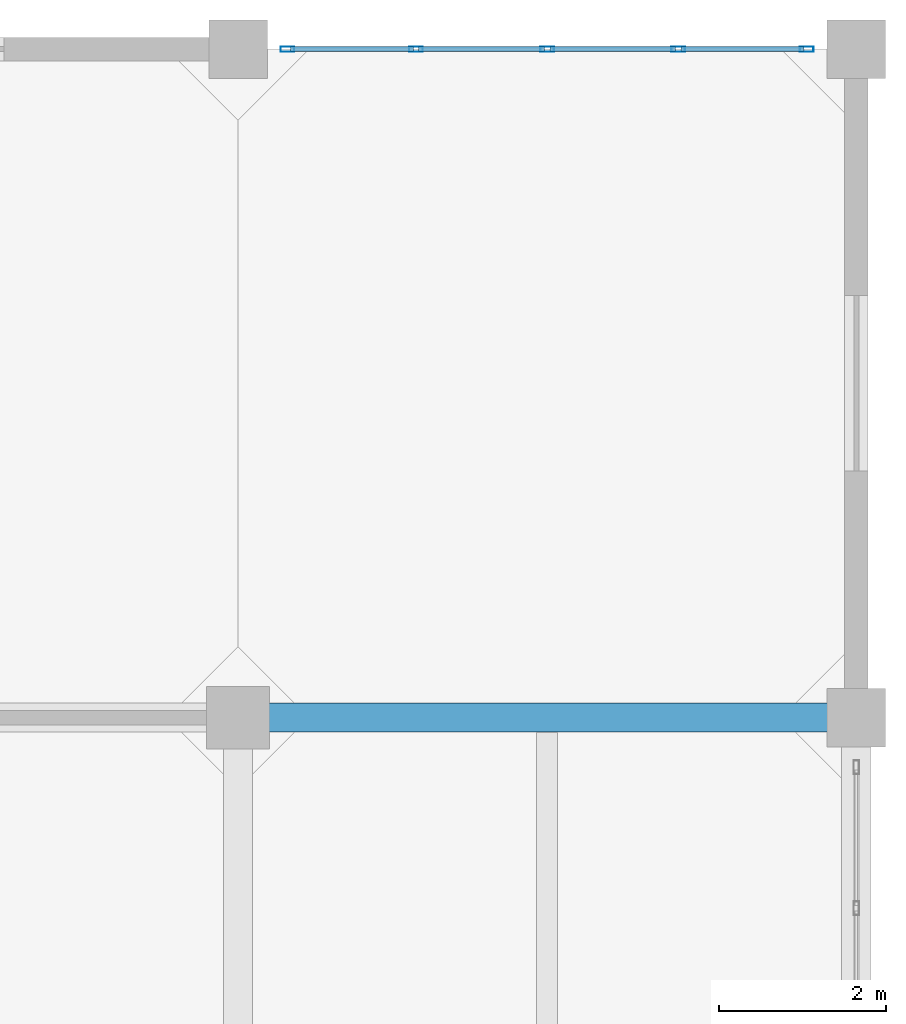
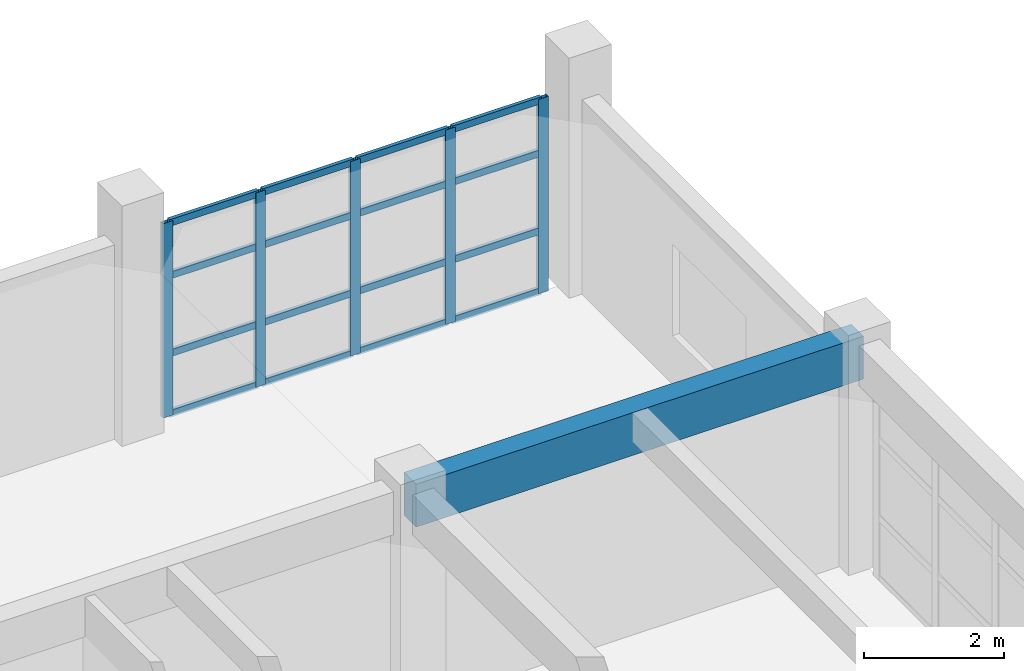
# One storey, part 12 of 19: 21 members, 1 beam, 1 element without a shape of its own.
"""IFC4 building model written with IfcOpenShell, lengths in metres."""

from ifc_helpers import new_model, si_unit, direction, frame, origin, origin_2d, place, context, subcontext, project, spatial, rectangle, hollow_rectangle, extrude, material, layer, layer_set, material_profile, profile_set, type_object, element, aggregate, save


model = new_model("IFC4")

# Units and contexts
model_context = context("Model", 3, precision=1e-05, world=origin(), true_north=direction((0.0, 1.0)))
body_context = subcontext(model_context, "Body", "Model", "MODEL_VIEW")
ifc_project = project(units=[si_unit("LENGTHUNIT", "METRE"), si_unit("AREAUNIT", "SQUARE_METRE"), si_unit("VOLUMEUNIT", "CUBIC_METRE"), si_unit("PLANEANGLEUNIT", "RADIAN"), si_unit("MASSUNIT", "GRAM", prefix="KILO")], contexts=[model_context])

# Site, building, storey
site_placement = place(None, origin())
site = spatial("IfcSite", under=ifc_project, at=site_placement, CompositionType="ELEMENT")
building_placement = place(site_placement, origin())
building = spatial("IfcBuilding", under=site, at=building_placement, Name="Canggui Botanical Conservatory", CompositionType="ELEMENT")
storey_placement = place(building_placement, frame((0.0, 0.0, 44.39990234375)))
storey = spatial("IfcBuildingStorey", under=building, at=storey_placement, Name="L11", CompositionType="ELEMENT", Elevation=44.39990234375)

# Beam
ifc_material_1 = material(Name="Concrete C35", Category="concrete")
ifc_material_profile_1 = material_profile(ifc_material_1, rectangle(XDim=0.35009765625, YDim=0.75, at=origin_2d()), Name="RB 350x750")
ifc_profile_set_1 = profile_set([ifc_material_profile_1], Name="Concrete C35")
beam_type = type_object("IfcBeamType", Name="BM-KL16", PredefinedType="BEAM", material=ifc_profile_set_1)
beam_placement = place(storey_placement, frame((170.0, 66.0, 3.585205078125), z_axis=(1.0, 0.0, 0.0), x_axis=(0.0, 1.0, 0.0)))
element("IfcBeam", 1, at=beam_placement, inside=storey, type_object=beam_type, Name="Frame Girder L11 Y66-4", PredefinedType="BEAM", context=body_context, shape_type="SweptSolid", body=[
    extrude(rectangle(XDim=0.35009765625, YDim=0.75, at=origin_2d()), origin(), (0.0, 0.0, 1.0), 7.39990234375),
])

# Curtain wall, members
ifc_material_2 = material(Name="Thermally Broken Aluminium", Category="aluminium")
ifc_layer = layer(ifc_material_2, 0.1650390625, Name="Thermally Broken Aluminium", Category="aluminium")
ifc_layer_set = layer_set([ifc_layer], Name="Thermally Broken Aluminium")
curtain_wall_type = type_object("IfcCurtainWallType", Name="CW-UNIT-B", PredefinedType="USERDEFINED", material=ifc_layer_set)
curtain_wall_placement = place(storey_placement, origin())
curtain_wall = element("IfcCurtainWall", 2, at=curtain_wall_placement, inside=storey, type_object=curtain_wall_type, Name="Facade Curtain Wall CW-TWR-L11-13", ObjectType="UNITISED CURTAIN WALL", PredefinedType="USERDEFINED")
ifc_material_profile_2 = material_profile(ifc_material_2, hollow_rectangle(XDim=0.06494140625, YDim=0.1650390625, WallThickness=0.00390625, at=origin_2d()), Name="CWM 65x165x4")
ifc_profile_set_2 = profile_set([ifc_material_profile_2], Name="Thermally Broken Aluminium")
member_type_1 = type_object("IfcMemberType", Name="CWM-02", PredefinedType="MULLION", material=ifc_profile_set_2)
member_1_placement = place(storey_placement, frame((170.592529296875, 74.0, 0.0), z_axis=(0.0, 0.0, 1.0), x_axis=(0.0, 1.0, 0.0)))
member_1 = element("IfcMember", 3, at=member_1_placement, type_object=member_type_1, Name="CW-02 mullion 1", PredefinedType="MULLION", context=body_context, shape_type="SweptSolid", body=[
    extrude(hollow_rectangle(XDim=0.06494140625, YDim=0.1650390625, WallThickness=0.00390625, at=origin_2d()), origin(), (0.0, 0.0, 1.0), 3.400146484375),
])
member_2_placement = place(storey_placement, frame((172.1298828125, 74.0, 0.0), z_axis=(0.0, 0.0, 1.0), x_axis=(0.0, 1.0, 0.0)))
member_2 = element("IfcMember", 4, at=member_2_placement, type_object=member_type_1, Name="CW-02 mullion 2", PredefinedType="MULLION", context=body_context, shape_type="SweptSolid", body=[
    extrude(hollow_rectangle(XDim=0.06494140625, YDim=0.1650390625, WallThickness=0.00390625, at=origin_2d()), origin(), (0.0, 0.0, 1.0), 3.400146484375),
])
member_3_placement = place(storey_placement, frame((173.699951171875, 74.0, 0.0), z_axis=(0.0, 0.0, 1.0), x_axis=(0.0, 1.0, 0.0)))
member_3 = element("IfcMember", 5, at=member_3_placement, type_object=member_type_1, Name="CW-02 mullion 3", PredefinedType="MULLION", context=body_context, shape_type="SweptSolid", body=[
    extrude(hollow_rectangle(XDim=0.06494140625, YDim=0.1650390625, WallThickness=0.00390625, at=origin_2d()), origin(), (0.0, 0.0, 1.0), 3.400146484375),
])
member_4_placement = place(storey_placement, frame((175.27001953125, 74.0, 0.0), z_axis=(0.0, 0.0, 1.0), x_axis=(0.0, 1.0, 0.0)))
member_4 = element("IfcMember", 6, at=member_4_placement, type_object=member_type_1, Name="CW-02 mullion 4", PredefinedType="MULLION", context=body_context, shape_type="SweptSolid", body=[
    extrude(hollow_rectangle(XDim=0.06494140625, YDim=0.1650390625, WallThickness=0.00390625, at=origin_2d()), origin(), (0.0, 0.0, 1.0), 3.400146484375),
])
member_5_placement = place(storey_placement, frame((176.8076171875, 74.0, 0.0), z_axis=(0.0, 0.0, 1.0), x_axis=(0.0, 1.0, 0.0)))
member_5 = element("IfcMember", 7, at=member_5_placement, type_object=member_type_1, Name="CW-02 mullion 5", PredefinedType="MULLION", context=body_context, shape_type="SweptSolid", body=[
    extrude(hollow_rectangle(XDim=0.06494140625, YDim=0.1650390625, WallThickness=0.00390625, at=origin_2d()), origin(), (0.0, 0.0, 1.0), 3.400146484375),
])
ifc_material_profile_3 = material_profile(ifc_material_2, hollow_rectangle(XDim=0.06005859375, YDim=0.1201171875, WallThickness=0.00341796875, at=origin_2d()), Name="CWT 60x120x3.5")
ifc_profile_set_3 = profile_set([ifc_material_profile_3], Name="Thermally Broken Aluminium")
member_type_2 = type_object("IfcMemberType", Name="CWT-02", PredefinedType="USERDEFINED", material=ifc_profile_set_3)
member_6_placement = place(storey_placement, frame((170.625, 74.0, 0.030029296875), z_axis=(1.0, 0.0, 0.0), x_axis=(0.0, 1.0, 0.0)))
member_6 = element("IfcMember", 8, at=member_6_placement, type_object=member_type_2, Name="CW-02 transom 1.1", ObjectType="TRANSOM", PredefinedType="USERDEFINED", context=body_context, shape_type="SweptSolid", body=[
    extrude(hollow_rectangle(XDim=0.06005859375, YDim=0.1201171875, WallThickness=0.00341796875, at=origin_2d()), origin(), (0.0, 0.0, 1.0), 1.472412109375),
])
member_7_placement = place(storey_placement, frame((170.625, 74.0, 1.088134765625), z_axis=(1.0, 0.0, 0.0), x_axis=(0.0, 1.0, 0.0)))
member_7 = element("IfcMember", 9, at=member_7_placement, type_object=member_type_2, Name="CW-02 transom 1.2", ObjectType="TRANSOM", PredefinedType="USERDEFINED", context=body_context, shape_type="SweptSolid", body=[
    extrude(hollow_rectangle(XDim=0.06005859375, YDim=0.1201171875, WallThickness=0.00341796875, at=origin_2d()), origin(), (0.0, 0.0, 1.0), 1.472412109375),
])
member_8_placement = place(storey_placement, frame((170.625, 74.0, 2.447998046875), z_axis=(1.0, 0.0, 0.0), x_axis=(0.0, 1.0, 0.0)))
member_8 = element("IfcMember", 10, at=member_8_placement, type_object=member_type_2, Name="CW-02 transom 1.3", ObjectType="TRANSOM", PredefinedType="USERDEFINED", context=body_context, shape_type="SweptSolid", body=[
    extrude(hollow_rectangle(XDim=0.06005859375, YDim=0.1201171875, WallThickness=0.00341796875, at=origin_2d()), origin(), (0.0, 0.0, 1.0), 1.472412109375),
])
member_9_placement = place(storey_placement, frame((170.625, 74.0, 3.3701171875), z_axis=(1.0, 0.0, 0.0), x_axis=(0.0, 1.0, 0.0)))
member_9 = element("IfcMember", 11, at=member_9_placement, type_object=member_type_2, Name="CW-02 transom 1.4", ObjectType="TRANSOM", PredefinedType="USERDEFINED", context=body_context, shape_type="SweptSolid", body=[
    extrude(hollow_rectangle(XDim=0.06005859375, YDim=0.1201171875, WallThickness=0.00341796875, at=origin_2d()), origin(), (0.0, 0.0, 1.0), 1.472412109375),
])
member_10_placement = place(storey_placement, frame((172.16259765625, 74.0, 0.030029296875), z_axis=(1.0, 0.0, 0.0), x_axis=(0.0, 1.0, 0.0)))
member_10 = element("IfcMember", 12, at=member_10_placement, type_object=member_type_2, Name="CW-02 transom 2.1", ObjectType="TRANSOM", PredefinedType="USERDEFINED", context=body_context, shape_type="SweptSolid", body=[
    extrude(hollow_rectangle(XDim=0.06005859375, YDim=0.1201171875, WallThickness=0.00341796875, at=origin_2d()), origin(), (0.0, 0.0, 1.0), 1.5048828125),
])
member_11_placement = place(storey_placement, frame((172.16259765625, 74.0, 1.088134765625), z_axis=(1.0, 0.0, 0.0), x_axis=(0.0, 1.0, 0.0)))
member_11 = element("IfcMember", 13, at=member_11_placement, type_object=member_type_2, Name="CW-02 transom 2.2", ObjectType="TRANSOM", PredefinedType="USERDEFINED", context=body_context, shape_type="SweptSolid", body=[
    extrude(hollow_rectangle(XDim=0.06005859375, YDim=0.1201171875, WallThickness=0.00341796875, at=origin_2d()), origin(), (0.0, 0.0, 1.0), 1.5048828125),
])
member_12_placement = place(storey_placement, frame((172.16259765625, 74.0, 2.447998046875), z_axis=(1.0, 0.0, 0.0), x_axis=(0.0, 1.0, 0.0)))
member_12 = element("IfcMember", 14, at=member_12_placement, type_object=member_type_2, Name="CW-02 transom 2.3", ObjectType="TRANSOM", PredefinedType="USERDEFINED", context=body_context, shape_type="SweptSolid", body=[
    extrude(hollow_rectangle(XDim=0.06005859375, YDim=0.1201171875, WallThickness=0.00341796875, at=origin_2d()), origin(), (0.0, 0.0, 1.0), 1.5048828125),
])
member_13_placement = place(storey_placement, frame((172.16259765625, 74.0, 3.3701171875), z_axis=(1.0, 0.0, 0.0), x_axis=(0.0, 1.0, 0.0)))
member_13 = element("IfcMember", 15, at=member_13_placement, type_object=member_type_2, Name="CW-02 transom 2.4", ObjectType="TRANSOM", PredefinedType="USERDEFINED", context=body_context, shape_type="SweptSolid", body=[
    extrude(hollow_rectangle(XDim=0.06005859375, YDim=0.1201171875, WallThickness=0.00341796875, at=origin_2d()), origin(), (0.0, 0.0, 1.0), 1.5048828125),
])
member_14_placement = place(storey_placement, frame((173.732421875, 74.0, 0.030029296875), z_axis=(1.0, 0.0, 0.0), x_axis=(0.0, 1.0, 0.0)))
member_14 = element("IfcMember", 16, at=member_14_placement, type_object=member_type_2, Name="CW-02 transom 3.1", ObjectType="TRANSOM", PredefinedType="USERDEFINED", context=body_context, shape_type="SweptSolid", body=[
    extrude(hollow_rectangle(XDim=0.06005859375, YDim=0.1201171875, WallThickness=0.00341796875, at=origin_2d()), origin(), (0.0, 0.0, 1.0), 1.505126953125),
])
member_15_placement = place(storey_placement, frame((173.732421875, 74.0, 1.088134765625), z_axis=(1.0, 0.0, 0.0), x_axis=(0.0, 1.0, 0.0)))
member_15 = element("IfcMember", 17, at=member_15_placement, type_object=member_type_2, Name="CW-02 transom 3.2", ObjectType="TRANSOM", PredefinedType="USERDEFINED", context=body_context, shape_type="SweptSolid", body=[
    extrude(hollow_rectangle(XDim=0.06005859375, YDim=0.1201171875, WallThickness=0.00341796875, at=origin_2d()), origin(), (0.0, 0.0, 1.0), 1.505126953125),
])
member_16_placement = place(storey_placement, frame((173.732421875, 74.0, 2.447998046875), z_axis=(1.0, 0.0, 0.0), x_axis=(0.0, 1.0, 0.0)))
member_16 = element("IfcMember", 18, at=member_16_placement, type_object=member_type_2, Name="CW-02 transom 3.3", ObjectType="TRANSOM", PredefinedType="USERDEFINED", context=body_context, shape_type="SweptSolid", body=[
    extrude(hollow_rectangle(XDim=0.06005859375, YDim=0.1201171875, WallThickness=0.00341796875, at=origin_2d()), origin(), (0.0, 0.0, 1.0), 1.505126953125),
])
member_17_placement = place(storey_placement, frame((173.732421875, 74.0, 3.3701171875), z_axis=(1.0, 0.0, 0.0), x_axis=(0.0, 1.0, 0.0)))
member_17 = element("IfcMember", 19, at=member_17_placement, type_object=member_type_2, Name="CW-02 transom 3.4", ObjectType="TRANSOM", PredefinedType="USERDEFINED", context=body_context, shape_type="SweptSolid", body=[
    extrude(hollow_rectangle(XDim=0.06005859375, YDim=0.1201171875, WallThickness=0.00341796875, at=origin_2d()), origin(), (0.0, 0.0, 1.0), 1.505126953125),
])
member_18_placement = place(storey_placement, frame((175.302490234375, 74.0, 0.030029296875), z_axis=(1.0, 0.0, 0.0), x_axis=(0.0, 1.0, 0.0)))
member_18 = element("IfcMember", 20, at=member_18_placement, type_object=member_type_2, Name="CW-02 transom 4.1", ObjectType="TRANSOM", PredefinedType="USERDEFINED", context=body_context, shape_type="SweptSolid", body=[
    extrude(hollow_rectangle(XDim=0.06005859375, YDim=0.1201171875, WallThickness=0.00341796875, at=origin_2d()), origin(), (0.0, 0.0, 1.0), 1.472412109375),
])
member_19_placement = place(storey_placement, frame((175.302490234375, 74.0, 1.088134765625), z_axis=(1.0, 0.0, 0.0), x_axis=(0.0, 1.0, 0.0)))
member_19 = element("IfcMember", 21, at=member_19_placement, type_object=member_type_2, Name="CW-02 transom 4.2", ObjectType="TRANSOM", PredefinedType="USERDEFINED", context=body_context, shape_type="SweptSolid", body=[
    extrude(hollow_rectangle(XDim=0.06005859375, YDim=0.1201171875, WallThickness=0.00341796875, at=origin_2d()), origin(), (0.0, 0.0, 1.0), 1.472412109375),
])
member_20_placement = place(storey_placement, frame((175.302490234375, 74.0, 2.447998046875), z_axis=(1.0, 0.0, 0.0), x_axis=(0.0, 1.0, 0.0)))
member_20 = element("IfcMember", 22, at=member_20_placement, type_object=member_type_2, Name="CW-02 transom 4.3", ObjectType="TRANSOM", PredefinedType="USERDEFINED", context=body_context, shape_type="SweptSolid", body=[
    extrude(hollow_rectangle(XDim=0.06005859375, YDim=0.1201171875, WallThickness=0.00341796875, at=origin_2d()), origin(), (0.0, 0.0, 1.0), 1.472412109375),
])
member_21_placement = place(storey_placement, frame((175.302490234375, 74.0, 3.3701171875), z_axis=(1.0, 0.0, 0.0), x_axis=(0.0, 1.0, 0.0)))
member_21 = element("IfcMember", 23, at=member_21_placement, type_object=member_type_2, Name="CW-02 transom 4.4", ObjectType="TRANSOM", PredefinedType="USERDEFINED", context=body_context, shape_type="SweptSolid", body=[
    extrude(hollow_rectangle(XDim=0.06005859375, YDim=0.1201171875, WallThickness=0.00341796875, at=origin_2d()), origin(), (0.0, 0.0, 1.0), 1.472412109375),
])
aggregate(curtain_wall, [member_1, member_2, member_3, member_4, member_5, member_6, member_7, member_8, member_9, member_10, member_11, member_12, member_13, member_14, member_15, member_16, member_17, member_18, member_19, member_20, member_21])

save(model, "model.ifc")
